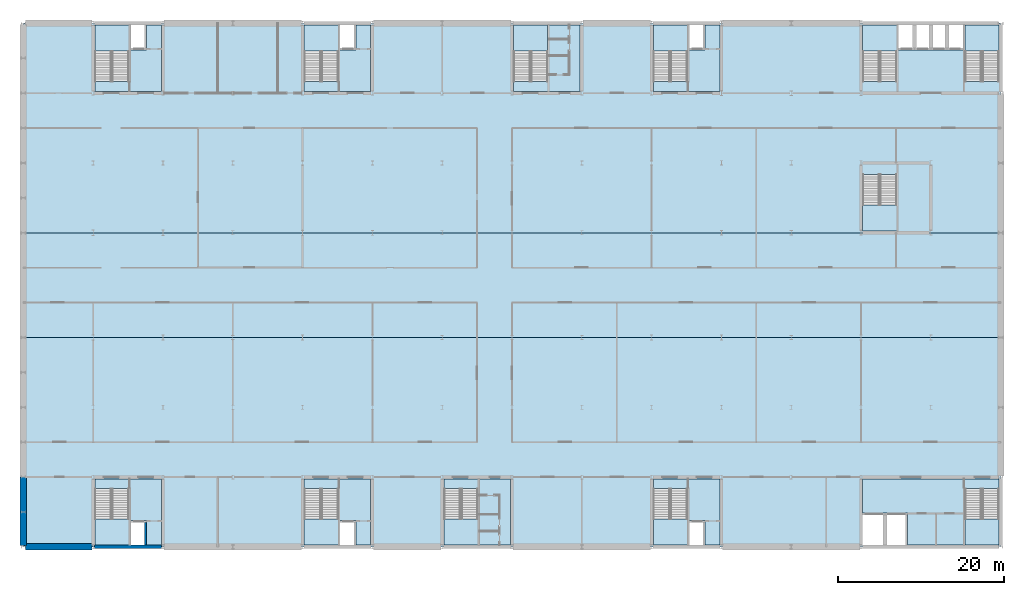
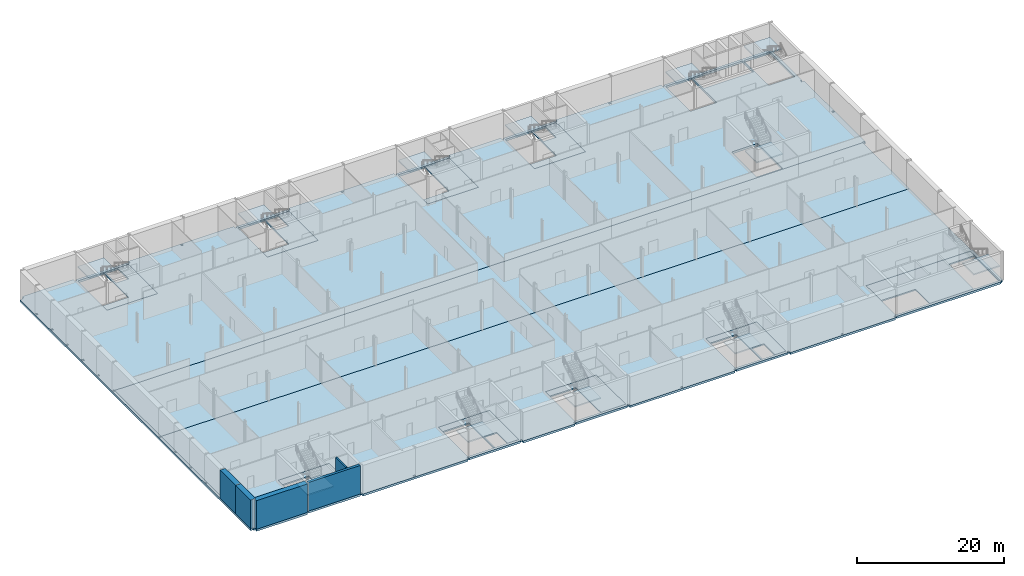
# One storey, part 9 of 20: 24 slabs, 5 walls, 12 elements without a shape of their own.
"""IFC4 building model written with IfcOpenShell, lengths in metres."""

from ifc_helpers import new_model, si_unit, direction, frame, frame_2d, origin, place, context, subcontext, project, spatial, polyline, rectangle, outline, extrude, material, layer, layer_set, type_object, element, aggregate, save


model = new_model("IFC4")

# Units and contexts
model_context = context("Model", 3, precision=1e-05, world=origin(), true_north=direction((0.0, 1.0)))
body_context = subcontext(model_context, "Body", "Model", "MODEL_VIEW")
ifc_project = project(units=[si_unit("LENGTHUNIT", "METRE"), si_unit("AREAUNIT", "SQUARE_METRE"), si_unit("VOLUMEUNIT", "CUBIC_METRE"), si_unit("PLANEANGLEUNIT", "RADIAN"), si_unit("MASSUNIT", "GRAM", prefix="KILO")], contexts=[model_context])

# Site, building, storey
site_placement = place(None, origin())
site = spatial("IfcSite", under=ifc_project, at=site_placement, CompositionType="ELEMENT")
building_placement = place(site_placement, origin())
building = spatial("IfcBuilding", under=site, at=building_placement, Name="Galleria Vessillo Department Store", CompositionType="ELEMENT")
storey_placement = place(building_placement, frame((0.0, 0.0, -4.89990234375)))
storey = spatial("IfcBuildingStorey", under=building, at=storey_placement, Name="B1", CompositionType="ELEMENT", Elevation=-4.89990234375)

# Slabs
ifc_material_1 = material(Name="Concrete C32/40 reinforced", Category="concrete")
ifc_layer_1 = layer(ifc_material_1, 0.219970703125)
ifc_layer_set_1 = layer_set([ifc_layer_1], Name="Concrete C32/40 reinforced")
slab_type_1 = type_object("IfcSlabType", Name="Reinforced concrete core floor slab 220 mm", PredefinedType="FLOOR", material=ifc_layer_set_1)
slab_1_placement = place(storey_placement, frame((0.0, 0.0, -0.219970703125)))
element("IfcSlab", 1, at=slab_1_placement, inside=storey, type_object=slab_type_1, Name="S-SLAB-B1-CORE-PC-SW", PredefinedType="FLOOR", context=body_context, shape_type="SweptSolid", body=[
    extrude(outline(polyline([(8.599853515625, 8.199951171875), (16.60009765625, 8.199951171875), (16.60009765625, 0.199951171875), (14.85009765625, 0.199951171875), (14.85009765625, 3.199951171875), (12.89990234375, 3.199951171875), (12.89990234375, 0.199951171875), (12.699951171875, 0.199951171875), (12.699951171875, 7.0), (8.60009765625, 7.0), (8.60009765625, 0.199951171875), (8.599853515625, 8.199951171875)])), origin(), (0.0, 0.0, 1.0), 0.219970703125),
])
slab_2_placement = place(storey_placement, frame((0.0, 0.0, -0.219970703125)))
element("IfcSlab", 2, at=slab_2_placement, inside=storey, type_object=slab_type_1, Name="S-SLAB-B1-CORE-PC-NW", PredefinedType="FLOOR", context=body_context, shape_type="SweptSolid", body=[
    extrude(outline(polyline([(16.60009765625, 62.800048828125), (16.60009765625, 54.800048828125), (8.599853515625, 54.800048828125), (8.60009765625, 62.800048828125), (8.60009765625, 56.0), (12.699951171875, 56.0), (12.699951171875, 62.800048828125), (12.89990234375, 62.800048828125), (12.89990234375, 59.800048828125), (14.85009765625, 59.800048828125), (14.85009765625, 62.800048828125), (16.60009765625, 62.800048828125)])), origin(), (0.0, 0.0, 1.0), 0.219970703125),
])
slab_3_placement = place(storey_placement, frame((0.0, 0.0, -0.219970703125)))
element("IfcSlab", 3, at=slab_3_placement, inside=storey, type_object=slab_type_1, Name="S-SLAB-B1-CORE-PC-SM", PredefinedType="FLOOR", context=body_context, shape_type="SweptSolid", body=[
    extrude(outline(polyline([(33.800048828125, 8.199951171875), (41.800048828125, 8.199951171875), (41.800048828125, 0.199951171875), (40.050048828125, 0.199951171875), (40.050048828125, 3.199951171875), (38.10009765625, 3.199951171875), (38.10009765625, 0.199951171875), (37.89990234375, 0.199951171875), (37.89990234375, 7.0), (33.800048828125, 7.0), (33.800048828125, 8.199951171875)])), origin(), (0.0, 0.0, 1.0), 0.219970703125),
])
slab_4_placement = place(storey_placement, frame((0.0, 0.0, -0.219970703125)))
element("IfcSlab", 4, at=slab_4_placement, inside=storey, type_object=slab_type_1, Name="S-SLAB-B1-CORE-PC-NM", PredefinedType="FLOOR", context=body_context, shape_type="SweptSolid", body=[
    extrude(outline(polyline([(41.800048828125, 62.800048828125), (41.800048828125, 54.800048828125), (33.800048828125, 54.800048828125), (33.800048828125, 56.0), (37.89990234375, 56.0), (37.89990234375, 62.800048828125), (38.10009765625, 62.800048828125), (38.10009765625, 59.800048828125), (40.050048828125, 59.800048828125), (40.050048828125, 62.800048828125), (41.800048828125, 62.800048828125)])), origin(), (0.0, 0.0, 1.0), 0.219970703125),
])
slab_5_placement = place(storey_placement, frame((0.0, 0.0, -0.219970703125)))
element("IfcSlab", 5, at=slab_5_placement, inside=storey, type_object=slab_type_1, Name="S-SLAB-B1-CORE-PC-SE", PredefinedType="FLOOR", context=body_context, shape_type="SweptSolid", body=[
    extrude(outline(polyline([(75.800048828125, 8.199951171875), (83.800048828125, 8.199951171875), (83.800048828125, 0.199951171875), (82.050048828125, 0.199951171875), (82.050048828125, 3.199951171875), (80.10009765625, 3.199951171875), (80.10009765625, 0.199951171875), (79.89990234375, 0.199951171875), (79.89990234375, 7.0), (75.800048828125, 7.0), (75.800048828125, 8.199951171875)])), origin(), (0.0, 0.0, 1.0), 0.219970703125),
])
slab_6_placement = place(storey_placement, frame((0.0, 0.0, -0.219970703125)))
element("IfcSlab", 6, at=slab_6_placement, inside=storey, type_object=slab_type_1, Name="S-SLAB-B1-CORE-PC-NE", PredefinedType="FLOOR", context=body_context, shape_type="SweptSolid", body=[
    extrude(outline(polyline([(83.800048828125, 62.800048828125), (83.800048828125, 54.800048828125), (75.800048828125, 54.800048828125), (75.800048828125, 56.0), (79.89990234375, 56.0), (79.89990234375, 62.800048828125), (80.10009765625, 62.800048828125), (80.10009765625, 59.800048828125), (82.050048828125, 59.800048828125), (82.050048828125, 62.800048828125), (83.800048828125, 62.800048828125)])), origin(), (0.0, 0.0, 1.0), 0.219970703125),
])
slab_7_placement = place(storey_placement, frame((0.0, 0.0, -0.219970703125)))
element("IfcSlab", 7, at=slab_7_placement, inside=storey, type_object=slab_type_1, Name="S-SLAB-B1-CORE-PC-SC", PredefinedType="FLOOR", context=body_context, shape_type="SweptSolid", body=[
    extrude(outline(polyline([(50.599853515625, 8.199951171875), (58.60009765625, 8.199951171875), (58.60009765625, 0.199951171875), (54.699951171875, 0.199951171875), (54.699951171875, 7.0), (50.60009765625, 7.0), (50.60009765625, 0.199951171875), (50.599853515625, 8.199951171875)])), origin(), (0.0, 0.0, 1.0), 0.219970703125),
])
slab_8_placement = place(storey_placement, frame((0.0, 0.0, -0.219970703125)))
element("IfcSlab", 8, at=slab_8_placement, inside=storey, type_object=slab_type_1, Name="S-SLAB-B1-CORE-PC-NC", PredefinedType="FLOOR", context=body_context, shape_type="SweptSolid", body=[
    extrude(outline(polyline([(67.0, 62.800048828125), (67.0, 54.800048828125), (59.0, 54.800048828125), (59.0, 56.0), (63.10009765625, 56.0), (63.10009765625, 62.800048828125), (67.0, 62.800048828125)])), origin(), (0.0, 0.0, 1.0), 0.219970703125),
])
slab_9_placement = place(storey_placement, frame((0.0, 0.0, -0.219970703125)))
element("IfcSlab", 9, at=slab_9_placement, inside=storey, type_object=slab_type_1, Name="S-SLAB-B1-CORE-GC", PredefinedType="FLOOR", context=body_context, shape_type="SweptSolid", body=[
    extrude(outline(polyline([(101.0, 8.199951171875), (117.400146484375, 8.199951171875), (117.39990234375, 0.199951171875), (117.39990234375, 7.0), (113.300048828125, 7.0), (113.300048828125, 0.199951171875), (106.39990234375, 0.199951171875), (106.39990234375, 4.10009765625), (101.0, 4.10009765625), (101.0, 8.199951171875)])), origin(), (0.0, 0.0, 1.0), 0.219970703125),
])
ifc_material_2 = material(Name="Concrete C35/45 reinforced", Category="concrete")
ifc_layer_2 = layer(ifc_material_2, 0.35009765625)
ifc_layer_set_2 = layer_set([ifc_layer_2], Name="Concrete C35/45 reinforced")
slab_type_2 = type_object("IfcSlabType", Name="Reinforced concrete flat slab 350 mm", PredefinedType="FLOOR", material=ifc_layer_set_2)
slab_10_placement = place(storey_placement, frame((0.0, 0.0, -0.35009765625)))
element("IfcSlab", 10, at=slab_10_placement, inside=storey, type_object=slab_type_2, Name="S-SLAB-B1-SLAB-S", PredefinedType="FLOOR", context=body_context, shape_type="SweptSolid", body=[
    extrude(outline(polyline([(8.550537109375, 0.0), (8.249267578125, 0.0), (8.249267578125, -0.39990234375), (0.25048828125, -0.39990234375), (0.25048828125, 0.0), (0.0, 0.0), (0.0, 25.199951171875), (117.60009765625, 25.199951171875), (117.60009765625, 8.249267578125), (117.800048828125, 8.249267578125), (117.800048828125, 0.150634765625), (117.60009765625, 0.150634765625), (117.60009765625, 0.0), (117.349609375, 0.0), (117.349609375, -0.199951171875), (100.95068359375, -0.199951171875), (100.95068359375, 0.0), (100.6494140625, 0.0), (100.6494140625, -0.39990234375), (84.150634765625, -0.39990234375), (84.150634765625, 0.0), (83.849365234375, 0.0), (83.849365234375, -0.199951171875), (75.750732421875, -0.199951171875), (75.750732421875, 0.0), (75.449462890625, 0.0), (75.449462890625, -0.39990234375), (58.95068359375, -0.39990234375), (58.95068359375, 0.0), (58.6494140625, 0.0), (58.6494140625, -0.199951171875), (50.550537109375, -0.199951171875), (50.550537109375, 0.0), (50.249267578125, 0.0), (50.249267578125, -0.39990234375), (42.150634765625, -0.39990234375), (42.150634765625, 0.0), (41.849365234375, 0.0), (41.849365234375, -0.199951171875), (33.750732421875, -0.199951171875), (33.750732421875, 0.0), (33.449462890625, 0.0), (33.449462890625, -0.39990234375), (16.95068359375, -0.39990234375), (16.95068359375, 0.0), (16.6494140625, 0.0), (16.6494140625, -0.199951171875), (8.550537109375, -0.199951171875), (8.550537109375, 0.0)]), holes=[polyline([(117.400146484375, 8.199951171875), (101.0, 8.199951171875), (101.0, 0.199951171875), (117.400146484375, 0.199951171875), (117.400146484375, 8.199951171875)]), polyline([(92.550537109375, 0.0), (92.249267578125, 0.0), (92.249267578125, -0.25048828125), (92.550537109375, -0.25048828125), (92.550537109375, 0.0)]), polyline([(83.800048828125, 8.199951171875), (75.800048828125, 8.199951171875), (75.800048828125, 0.199951171875), (83.800048828125, 0.199951171875), (83.800048828125, 8.199951171875)]), polyline([(67.04931640625, 0.0), (67.04931640625, -0.25048828125), (67.3505859375, -0.25048828125), (67.3505859375, 0.0), (67.04931640625, 0.0)]), polyline([(58.60009765625, 8.199951171875), (50.599853515625, 8.199951171875), (50.599853515625, 0.199951171875), (58.60009765625, 0.199951171875), (58.60009765625, 8.199951171875)]), polyline([(41.800048828125, 8.199951171875), (33.800048828125, 8.199951171875), (33.800048828125, 0.199951171875), (41.800048828125, 0.199951171875), (41.800048828125, 8.199951171875)]), polyline([(25.3505859375, -0.25048828125), (25.3505859375, 0.0), (25.04931640625, 0.0), (25.04931640625, -0.25048828125), (25.3505859375, -0.25048828125)]), polyline([(16.60009765625, 8.199951171875), (8.599853515625, 8.199951171875), (8.599853515625, 0.199951171875), (16.60009765625, 0.199951171875), (16.60009765625, 8.199951171875)])]), origin(), (0.0, 0.0, 1.0), 0.35009765625),
])
slab_11_placement = place(storey_placement, frame((0.0, 0.0, -0.35009765625)))
element("IfcSlab", 11, at=slab_11_placement, inside=storey, type_object=slab_type_2, Name="S-SLAB-B1-SLAB-N", PredefinedType="FLOOR", context=body_context, shape_type="SweptSolid", body=[
    extrude(outline(polyline([(0.0, 25.04931640625), (0.0, 21.150634765625), (-0.25048828125, 21.150634765625), (-0.25048828125, 20.849365234375), (0.0, 20.849365234375), (0.0, 16.95068359375), (-0.25048828125, 16.95068359375), (-0.25048828125, 16.6494140625), (0.0, 16.6494140625), (0.0, 12.750732421875), (-0.25048828125, 12.750732421875), (-0.25048828125, 12.449462890625), (0.0, 12.449462890625), (0.0, 8.550537109375), (-0.25048828125, 8.550537109375), (-0.25048828125, 8.249267578125), (0.0, 8.249267578125), (0.0, 4.3505859375), (-0.25048828125, 4.3505859375), (-0.25048828125, 4.04931640625), (0.0, 4.04931640625), (0.0, 0.150634765625), (-0.39990234375, 0.150634765625), (-0.39990234375, 62.846435546875), (0.0, 62.846435546875), (0.0, 63.0), (0.25048828125, 63.0), (0.25048828125, 63.39990234375), (8.249267578125, 63.39990234375), (8.249267578125, 63.0), (8.550537109375, 63.0), (8.550537109375, 63.199951171875), (16.6494140625, 63.199951171875), (16.6494140625, 63.0), (16.95068359375, 63.0), (16.95068359375, 63.39990234375), (33.449462890625, 63.39990234375), (33.449462890625, 63.0), (33.750732421875, 63.0), (33.750732421875, 63.199951171875), (41.849365234375, 63.199951171875), (41.849365234375, 63.0), (42.150634765625, 63.0), (42.150634765625, 63.39990234375), (58.6494140625, 63.39990234375), (58.6494140625, 63.0), (58.95068359375, 63.0), (58.95068359375, 63.199951171875), (67.04931640625, 63.199951171875), (67.04931640625, 63.0), (67.3505859375, 63.0), (67.3505859375, 63.39990234375), (75.449462890625, 63.39990234375), (75.449462890625, 63.0), (75.750732421875, 63.0), (75.750732421875, 63.199951171875), (83.846435546875, 63.199951171875), (83.846435546875, 63.0), (84.153564453125, 63.0), (84.153564453125, 63.39990234375), (100.646484375, 63.39990234375), (100.646484375, 63.0), (100.95361328125, 63.0), (100.95361328125, 63.199951171875), (117.3134765625, 63.199951171875), (117.3134765625, 63.0), (117.60009765625, 63.0), (117.60009765625, 62.846435546875), (117.800048828125, 62.846435546875), (117.800048828125, 54.753662109375), (117.60009765625, 54.753662109375), (117.60009765625, 54.446533203125), (118.0, 54.446533203125), (118.0, 37.800048828125), (117.88671875, 37.800048828125), (117.88671875, 37.95361328125), (117.60009765625, 37.95361328125), (117.60009765625, 37.800048828125), (0.0, 37.800048828125), (0.0, 37.95361328125), (-0.25048828125, 37.95361328125), (-0.25048828125, 37.6494140625), (0.0, 37.6494140625), (0.0, 25.3505859375), (-0.25048828125, 25.3505859375), (-0.25048828125, 25.04931640625), (0.0, 25.04931640625)]), holes=[polyline([(117.88671875, 46.04638671875), (117.88671875, 46.353515625), (117.60009765625, 46.353515625), (117.60009765625, 46.04638671875), (117.88671875, 46.04638671875)]), polyline([(117.39990234375, 62.800048828125), (113.300048828125, 62.800048828125), (113.300048828125, 56.0), (117.39990234375, 56.0), (117.39990234375, 62.800048828125)]), polyline([(113.10009765625, 62.800048828125), (105.300048828125, 62.800048828125), (105.300048828125, 59.800048828125), (113.10009765625, 59.800048828125), (113.10009765625, 62.800048828125)]), polyline([(105.10009765625, 62.800048828125), (101.0, 62.800048828125), (101.0, 56.0), (105.10009765625, 56.0), (105.10009765625, 62.800048828125)]), polyline([(105.10009765625, 44.800048828125), (101.0, 44.800048828125), (101.0, 38.0), (105.10009765625, 38.0), (105.10009765625, 44.800048828125)]), polyline([(92.246337890625, 63.0), (92.553466796875, 63.0), (92.553466796875, 63.28662109375), (92.246337890625, 63.28662109375), (92.246337890625, 63.0)]), polyline([(75.800048828125, 62.800048828125), (75.800048828125, 54.800048828125), (83.800048828125, 54.800048828125), (83.800048828125, 62.800048828125), (75.800048828125, 62.800048828125)]), polyline([(59.0, 62.800048828125), (59.0, 54.800048828125), (67.0, 54.800048828125), (67.0, 62.800048828125), (59.0, 62.800048828125)]), polyline([(50.550537109375, 63.25048828125), (50.249267578125, 63.25048828125), (50.249267578125, 63.0), (50.550537109375, 63.0), (50.550537109375, 63.25048828125)]), polyline([(33.800048828125, 54.800048828125), (41.800048828125, 54.800048828125), (41.800048828125, 62.800048828125), (33.800048828125, 62.800048828125), (33.800048828125, 54.800048828125)]), polyline([(25.04931640625, 63.25048828125), (25.04931640625, 63.0), (25.3505859375, 63.0), (25.3505859375, 63.25048828125), (25.04931640625, 63.25048828125)]), polyline([(8.599853515625, 54.800048828125), (16.60009765625, 54.800048828125), (16.60009765625, 62.800048828125), (8.599853515625, 62.800048828125), (8.599853515625, 54.800048828125)]), polyline([(0.0, 58.6494140625), (0.0, 58.95068359375), (-0.25048828125, 58.95068359375), (-0.25048828125, 58.6494140625), (0.0, 58.6494140625)]), polyline([(0.0, 54.446533203125), (0.0, 54.753662109375), (-0.25048828125, 54.753662109375), (-0.25048828125, 54.446533203125), (0.0, 54.446533203125)]), polyline([(0.0, 50.249267578125), (0.0, 50.550537109375), (-0.25048828125, 50.550537109375), (-0.25048828125, 50.249267578125), (0.0, 50.249267578125)]), polyline([(0.0, 46.04638671875), (0.0, 46.353515625), (-0.25048828125, 46.353515625), (-0.25048828125, 46.04638671875), (0.0, 46.04638671875)]), polyline([(0.0, 41.849365234375), (0.0, 42.150634765625), (-0.25048828125, 42.150634765625), (-0.25048828125, 41.849365234375), (0.0, 41.849365234375)])]), origin(), (0.0, 0.0, 1.0), 0.35009765625),
])
ifc_material_3 = material(Name="Concrete C35/45 reinforced", Category="concrete")
ifc_layer_3 = layer(ifc_material_3, 0.449951171875)
ifc_layer_set_3 = layer_set([ifc_layer_3], Name="Concrete C35/45 reinforced")
slab_type_3 = type_object("IfcSlabType", Name="Reinforced concrete flat slab 450 mm", PredefinedType="FLOOR", material=ifc_layer_set_3)
slab_12_placement = place(storey_placement, frame((0.0, 0.0, -0.449951171875)))
element("IfcSlab", 12, at=slab_12_placement, inside=storey, type_object=slab_type_3, Name="S-SLAB-B1-SLAB-STRIP", PredefinedType="FLOOR", context=body_context, shape_type="SweptSolid", body=[
    extrude(outline(polyline([(0.0, 25.199951171875), (0.0, 37.800048828125), (117.60009765625, 37.800048828125), (117.60009765625, 25.199951171875), (0.0, 25.199951171875)])), origin(), (0.0, 0.0, 1.0), 0.449951171875),
])

# Stair, slab
ifc_material_4 = material(Name="Concrete C32/40", Category="concrete")
stair_type = type_object("IfcStairType", Name="Half-turn escape stair 2000 mm, 28 risers of 175 mm", PredefinedType="HALF_TURN_STAIR", material=ifc_material_4)
stair_1_placement = place(storey_placement, origin())
stair_1 = element("IfcStair", 13, at=stair_1_placement, inside=storey, type_object=stair_type, Name="Stair ST1 B1", PredefinedType="HALF_TURN_STAIR")
ifc_material_5 = material(Name="Concrete C32/40", Category="concrete")
ifc_layer_4 = layer(ifc_material_5, 0.199951171875)
ifc_layer_set_4 = layer_set([ifc_layer_4], Name="Concrete C32/40")
slab_type_4 = type_object("IfcSlabType", Name="Stair half landing 4100 x 3160 mm", PredefinedType="LANDING", material=ifc_layer_set_4)
slab_13_placement = place(storey_placement, frame((0.0, 0.0, 2.25)))
slab_13 = element("IfcSlab", 14, at=slab_13_placement, type_object=slab_type_4, Name="ST1 landing 1", PredefinedType="LANDING", context=body_context, shape_type="SweptSolid", body=[
    extrude(outline(polyline([(8.599853515625, 0.199951171875), (8.599853515625, 3.360107421875), (12.699951171875, 3.360107421875), (12.699951171875, 0.199951171875), (8.599853515625, 0.199951171875)])), origin(), (0.0, 0.0, 1.0), 0.199951171875),
])
aggregate(stair_1, [slab_13])

stair_2_placement = place(storey_placement, origin())
stair_2 = element("IfcStair", 15, at=stair_2_placement, inside=storey, type_object=stair_type, Name="Stair ST2 B1", PredefinedType="HALF_TURN_STAIR")
slab_14_placement = place(storey_placement, frame((0.0, 0.0, 2.25)))
slab_14 = element("IfcSlab", 16, at=slab_14_placement, type_object=slab_type_4, Name="ST2 landing 1", PredefinedType="LANDING", context=body_context, shape_type="SweptSolid", body=[
    extrude(outline(polyline([(8.599853515625, 59.639892578125), (8.599853515625, 62.800048828125), (12.699951171875, 62.800048828125), (12.699951171875, 59.639892578125), (8.599853515625, 59.639892578125)])), origin(), (0.0, 0.0, 1.0), 0.199951171875),
])
aggregate(stair_2, [slab_14])

stair_3_placement = place(storey_placement, origin())
stair_3 = element("IfcStair", 17, at=stair_3_placement, inside=storey, type_object=stair_type, Name="Stair ST3 B1", PredefinedType="HALF_TURN_STAIR")
slab_15_placement = place(storey_placement, frame((0.0, 0.0, 2.25)))
slab_15 = element("IfcSlab", 18, at=slab_15_placement, type_object=slab_type_4, Name="ST3 landing 1", PredefinedType="LANDING", context=body_context, shape_type="SweptSolid", body=[
    extrude(outline(polyline([(33.800048828125, 0.199951171875), (33.800048828125, 3.360107421875), (37.900146484375, 3.360107421875), (37.900146484375, 0.199951171875), (33.800048828125, 0.199951171875)])), origin(), (0.0, 0.0, 1.0), 0.199951171875),
])
aggregate(stair_3, [slab_15])

stair_4_placement = place(storey_placement, origin())
stair_4 = element("IfcStair", 19, at=stair_4_placement, inside=storey, type_object=stair_type, Name="Stair ST4 B1", PredefinedType="HALF_TURN_STAIR")
slab_16_placement = place(storey_placement, frame((0.0, 0.0, 2.25)))
slab_16 = element("IfcSlab", 20, at=slab_16_placement, type_object=slab_type_4, Name="ST4 landing 1", PredefinedType="LANDING", context=body_context, shape_type="SweptSolid", body=[
    extrude(outline(polyline([(33.800048828125, 59.639892578125), (33.800048828125, 62.800048828125), (37.900146484375, 62.800048828125), (37.900146484375, 59.639892578125), (33.800048828125, 59.639892578125)])), origin(), (0.0, 0.0, 1.0), 0.199951171875),
])
aggregate(stair_4, [slab_16])

stair_5_placement = place(storey_placement, origin())
stair_5 = element("IfcStair", 21, at=stair_5_placement, inside=storey, type_object=stair_type, Name="Stair ST5 B1", PredefinedType="HALF_TURN_STAIR")
slab_17_placement = place(storey_placement, frame((0.0, 0.0, 2.25)))
slab_17 = element("IfcSlab", 22, at=slab_17_placement, type_object=slab_type_4, Name="ST5 landing 1", PredefinedType="LANDING", context=body_context, shape_type="SweptSolid", body=[
    extrude(outline(polyline([(75.800048828125, 0.199951171875), (75.800048828125, 3.360107421875), (79.900146484375, 3.360107421875), (79.900146484375, 0.199951171875), (75.800048828125, 0.199951171875)])), origin(), (0.0, 0.0, 1.0), 0.199951171875),
])
aggregate(stair_5, [slab_17])

stair_6_placement = place(storey_placement, origin())
stair_6 = element("IfcStair", 23, at=stair_6_placement, inside=storey, type_object=stair_type, Name="Stair ST6 B1", PredefinedType="HALF_TURN_STAIR")
slab_18_placement = place(storey_placement, frame((0.0, 0.0, 2.25)))
slab_18 = element("IfcSlab", 24, at=slab_18_placement, type_object=slab_type_4, Name="ST6 landing 1", PredefinedType="LANDING", context=body_context, shape_type="SweptSolid", body=[
    extrude(outline(polyline([(75.800048828125, 59.639892578125), (75.800048828125, 62.800048828125), (79.900146484375, 62.800048828125), (79.900146484375, 59.639892578125), (75.800048828125, 59.639892578125)])), origin(), (0.0, 0.0, 1.0), 0.199951171875),
])
aggregate(stair_6, [slab_18])

stair_7_placement = place(storey_placement, origin())
stair_7 = element("IfcStair", 25, at=stair_7_placement, inside=storey, type_object=stair_type, Name="Stair ST10 B1", PredefinedType="HALF_TURN_STAIR")
slab_19_placement = place(storey_placement, frame((0.0, 0.0, 2.25)))
slab_19 = element("IfcSlab", 26, at=slab_19_placement, type_object=slab_type_4, Name="ST10 landing 1", PredefinedType="LANDING", context=body_context, shape_type="SweptSolid", body=[
    extrude(outline(polyline([(50.599853515625, 0.199951171875), (50.599853515625, 3.360107421875), (54.699951171875, 3.360107421875), (54.699951171875, 0.199951171875), (50.599853515625, 0.199951171875)])), origin(), (0.0, 0.0, 1.0), 0.199951171875),
])
aggregate(stair_7, [slab_19])

stair_8_placement = place(storey_placement, origin())
stair_8 = element("IfcStair", 27, at=stair_8_placement, inside=storey, type_object=stair_type, Name="Stair ST11 B1", PredefinedType="HALF_TURN_STAIR")
slab_20_placement = place(storey_placement, frame((0.0, 0.0, 2.25)))
slab_20 = element("IfcSlab", 28, at=slab_20_placement, type_object=slab_type_4, Name="ST11 landing 1", PredefinedType="LANDING", context=body_context, shape_type="SweptSolid", body=[
    extrude(outline(polyline([(59.0, 59.639892578125), (59.0, 62.800048828125), (63.10009765625, 62.800048828125), (63.10009765625, 59.639892578125), (59.0, 59.639892578125)])), origin(), (0.0, 0.0, 1.0), 0.199951171875),
])
aggregate(stair_8, [slab_20])

stair_9_placement = place(storey_placement, origin())
stair_9 = element("IfcStair", 29, at=stair_9_placement, inside=storey, type_object=stair_type, Name="Stair ST7 B1", PredefinedType="HALF_TURN_STAIR")
slab_21_placement = place(storey_placement, frame((0.0, 0.0, 2.25)))
slab_21 = element("IfcSlab", 30, at=slab_21_placement, type_object=slab_type_4, Name="ST7 landing 1", PredefinedType="LANDING", context=body_context, shape_type="SweptSolid", body=[
    extrude(outline(polyline([(113.300048828125, 0.199951171875), (113.300048828125, 3.360107421875), (117.400146484375, 3.360107421875), (117.400146484375, 0.199951171875), (113.300048828125, 0.199951171875)])), origin(), (0.0, 0.0, 1.0), 0.199951171875),
])
aggregate(stair_9, [slab_21])

stair_10_placement = place(storey_placement, origin())
stair_10 = element("IfcStair", 31, at=stair_10_placement, inside=storey, type_object=stair_type, Name="Stair ST8 B1", PredefinedType="HALF_TURN_STAIR")
slab_22_placement = place(storey_placement, frame((0.0, 0.0, 2.25)))
slab_22 = element("IfcSlab", 32, at=slab_22_placement, type_object=slab_type_4, Name="ST8 landing 1", PredefinedType="LANDING", context=body_context, shape_type="SweptSolid", body=[
    extrude(outline(polyline([(101.0, 59.639892578125), (101.0, 62.800048828125), (105.10009765625, 62.800048828125), (105.10009765625, 59.639892578125), (101.0, 59.639892578125)])), origin(), (0.0, 0.0, 1.0), 0.199951171875),
])
aggregate(stair_10, [slab_22])

stair_11_placement = place(storey_placement, origin())
stair_11 = element("IfcStair", 33, at=stair_11_placement, inside=storey, type_object=stair_type, Name="Stair ST9 B1", PredefinedType="HALF_TURN_STAIR")
slab_23_placement = place(storey_placement, frame((0.0, 0.0, 2.25)))
slab_23 = element("IfcSlab", 34, at=slab_23_placement, type_object=slab_type_4, Name="ST9 landing 1", PredefinedType="LANDING", context=body_context, shape_type="SweptSolid", body=[
    extrude(outline(polyline([(113.300048828125, 59.639892578125), (113.300048828125, 62.800048828125), (117.400146484375, 62.800048828125), (117.400146484375, 59.639892578125), (113.300048828125, 59.639892578125)])), origin(), (0.0, 0.0, 1.0), 0.199951171875),
])
aggregate(stair_11, [slab_23])

stair_12_placement = place(storey_placement, origin())
stair_12 = element("IfcStair", 35, at=stair_12_placement, inside=storey, type_object=stair_type, Name="Stair ST12 B1", PredefinedType="HALF_TURN_STAIR")
slab_24_placement = place(storey_placement, frame((0.0, 0.0, 2.25)))
slab_24 = element("IfcSlab", 36, at=slab_24_placement, type_object=slab_type_4, Name="ST12 landing 1", PredefinedType="LANDING", context=body_context, shape_type="SweptSolid", body=[
    extrude(outline(polyline([(101.0, 38.0), (101.0, 41.159912109375), (105.10009765625, 41.159912109375), (105.10009765625, 38.0), (101.0, 38.0)])), origin(), (0.0, 0.0, 1.0), 0.199951171875),
])
aggregate(stair_12, [slab_24])

# Walls
ifc_material_6 = material(Name="Concrete C32/40 reinforced", Category="concrete")
ifc_layer_5 = layer(ifc_material_6, 0.800048828125)
ifc_layer_set_5 = layer_set([ifc_layer_5], Name="Concrete C32/40 reinforced")
wall_type_1 = type_object("IfcWallType", Name="Diaphragm wall 800 mm", PredefinedType="SOLIDWALL", material=ifc_layer_set_5)
wall_1_placement = place(storey_placement, frame((0.25, 0.0, 0.0), z_axis=(0.0, 0.0, 1.0), x_axis=(1.0, 0.0, 0.0)))
element("IfcWall", 37, at=wall_1_placement, inside=storey, type_object=wall_type_1, Name="S-BW-S-B1-01", PredefinedType="SOLIDWALL", context=body_context, shape_type="SweptSolid", body=[
    extrude(rectangle(XDim=8.0, YDim=0.800048828125, at=frame_2d((4.0, 0.0))), origin(), (0.0, 0.0, 1.0), 4.75),
])
wall_2_placement = place(storey_placement, frame((0.0, 0.14990234375, 0.0), z_axis=(0.0, 0.0, 1.0), x_axis=(0.0, 1.0, 0.0)))
element("IfcWall", 38, at=wall_2_placement, inside=storey, type_object=wall_type_1, Name="S-BW-W-B1-01", PredefinedType="SOLIDWALL", context=body_context, shape_type="SweptSolid", body=[
    extrude(rectangle(XDim=4.050048828125, YDim=0.800048828125, at=frame_2d((2.02490234375, 0.0))), origin(), (0.0, 0.0, 1.0), 4.75),
])
wall_3_placement = place(storey_placement, frame((0.0, 4.199951171875, 0.0), z_axis=(0.0, 0.0, 1.0), x_axis=(0.0, 1.0, 0.0)))
element("IfcWall", 39, at=wall_3_placement, inside=storey, type_object=wall_type_1, Name="S-BW-W-B1-02", PredefinedType="SOLIDWALL", context=body_context, shape_type="SweptSolid", body=[
    extrude(rectangle(XDim=4.199951171875, YDim=0.800048828125, at=frame_2d((2.10009765625, 0.0))), origin(), (0.0, 0.0, 1.0), 4.75),
])
ifc_material_7 = material(Name="Solid clay block masonry", Category="masonry")
ifc_layer_6 = layer(ifc_material_7, 0.25)
ifc_layer_set_6 = layer_set([ifc_layer_6], Name="Solid clay block masonry")
wall_type_2 = type_object("IfcWallType", Name="Lift shaft wall 250 mm", PredefinedType="SOLIDWALL", material=ifc_layer_set_6)
wall_4_placement = place(storey_placement, frame((14.72509765625, 0.199951171875, 0.0), z_axis=(0.0, 0.0, 1.0), x_axis=(0.0, 1.0, 0.0)))
element("IfcWall", 40, at=wall_4_placement, inside=storey, type_object=wall_type_2, Name="Lift shaft wall LP1 B1", PredefinedType="SOLIDWALL", context=body_context, shape_type="SweptSolid", body=[
    extrude(rectangle(XDim=2.75, YDim=0.25, at=frame_2d((1.375, 0.0))), origin(), (0.0, 0.0, 1.0), 4.89990234375),
])
ifc_material_8 = material(Name="Concrete C32/40 reinforced", Category="concrete")
ifc_layer_7 = layer(ifc_material_8, 0.39990234375)
ifc_layer_set_7 = layer_set([ifc_layer_7], Name="Concrete C32/40 reinforced")
wall_type_3 = type_object("IfcWallType", Name="Reinforced concrete core wall 400 mm, external", PredefinedType="SHEAR", material=ifc_layer_set_7)
wall_5_placement = place(storey_placement, frame((8.5498046875, 0.0, 0.0), z_axis=(0.0, 0.0, 1.0), x_axis=(1.0, 0.0, 0.0)))
element("IfcWall", 41, at=wall_5_placement, inside=storey, type_object=wall_type_3, Name="S-CW-PC-SW-PARTY-B1", PredefinedType="SHEAR", context=body_context, shape_type="SweptSolid", body=[
    extrude(rectangle(XDim=8.100341796875, YDim=0.39990234375, at=frame_2d((4.05029296875, 0.0))), origin(), (0.0, 0.0, 1.0), 4.75),
])

save(model, "model.ifc")
